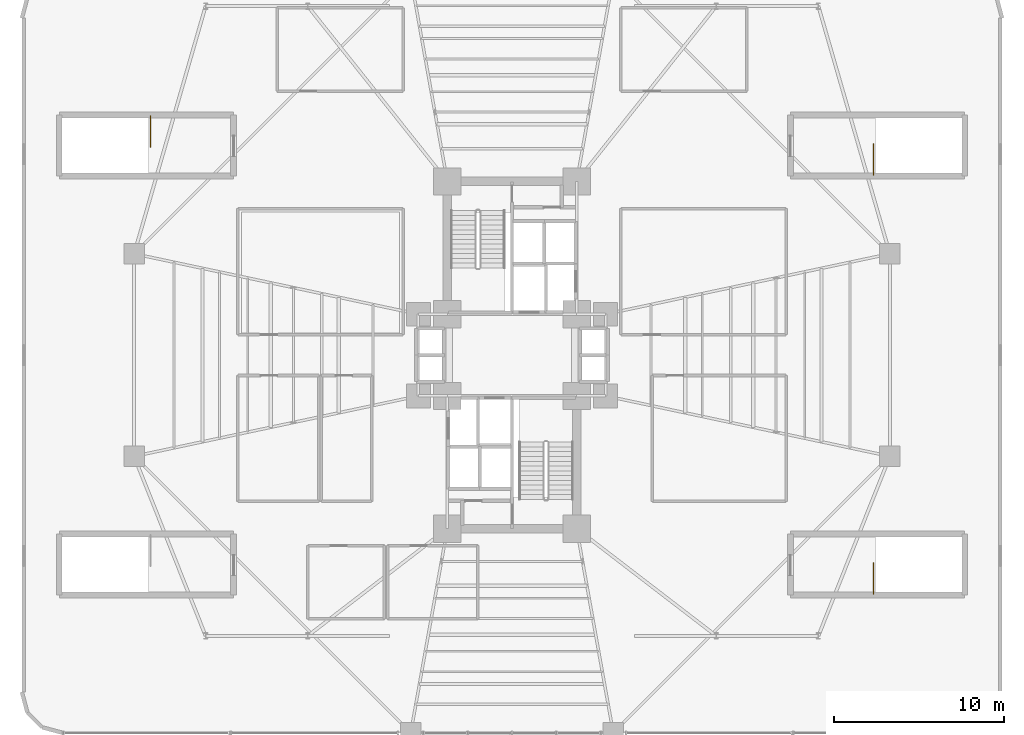
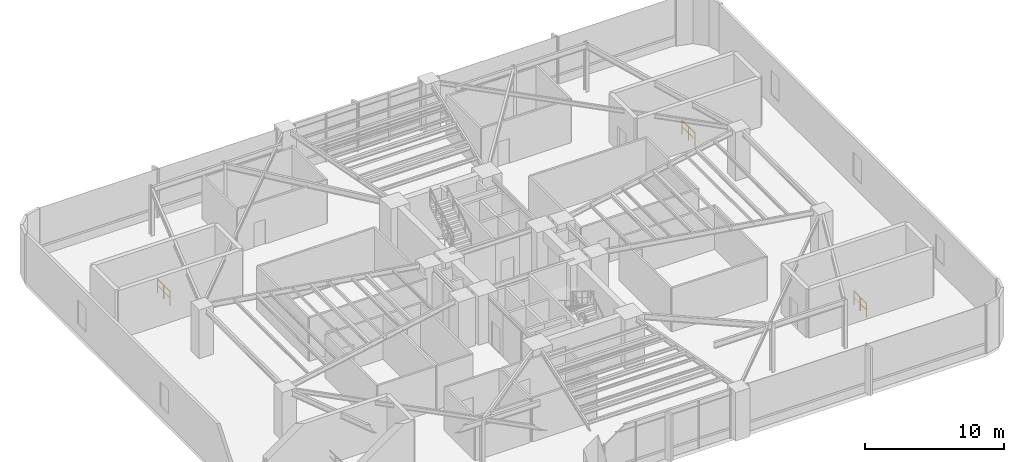
# One storey, part 26 of 26: 3 railings.
"""IFC4 building model written with IfcOpenShell, lengths in metres."""

import ifcopenshell
import ifcopenshell.guid

model = None  # the IFC model being written
_history = None  # IfcOwnerHistory: only IFC2X3 demands one
_inside = {}  # id of a spatial element -> (the spatial element, [elements in it])
_under = {}  # id of a project, library or spatial element -> (it, [spatial elements below it])
_declared = {}  # id of a project -> (the project, [libraries it declares])
_typed = {}  # id of a type object -> (the type object, [elements of that type])
_made_of = {}  # id of a material, layer set ... -> (it, [elements and type objects made of it])


def new_model(schema):
    """Start an empty IFC model of exactly this schema.

    Asked for "IFC4X3", IfcOpenShell would pick the latest addendum, in which some entities
    have other attributes; the version numbers below select the first issue.
    IFC2X3 requires an IfcOwnerHistory on every rooted entity: one is made here for all.
    """
    global model, _history
    if schema == "IFC4X3":
        model = ifcopenshell.file(schema_version=(4, 3, 0, 0))
    else:
        model = ifcopenshell.file(schema=schema)
    _inside.clear()
    _under.clear()
    _declared.clear()
    _typed.clear()
    _made_of.clear()
    _history = None
    if model.schema == "IFC2X3":
        org = make("IfcOrganization", Name="unknown")
        user = make(
            "IfcPersonAndOrganization",
            ThePerson=make("IfcPerson", FamilyName="unknown"),
            TheOrganization=org,
        )
        app = make(
            "IfcApplication",
            ApplicationDeveloper=org,
            Version="unknown",
            ApplicationFullName="unknown",
            ApplicationIdentifier="unknown",
        )
        _history = make(
            "IfcOwnerHistory",
            OwningUser=user,
            OwningApplication=app,
            ChangeAction="ADDED",
            CreationDate=0,
        )
    return model


def make(cls, **values):
    """One entity of the class cls with the attributes given. An attribute that is None is left unset."""
    return model.create_entity(
        cls, **{name: value for name, value in values.items() if value is not None}
    )


def rooted(cls, **values):
    """An entity with a GlobalId (a new one), such as an element, a storey or a relation."""
    return make(cls, GlobalId=ifcopenshell.guid.new(), OwnerHistory=_history, **values)


def si_unit(unit_type, name, prefix=None):
    """IfcSIUnit, for example si_unit("LENGTHUNIT", "METRE", prefix="MILLI")."""
    return make("IfcSIUnit", UnitType=unit_type, Prefix=prefix, Name=name)


def assignment(units):
    """IfcUnitAssignment: the units of a project."""
    return None if units is None else make("IfcUnitAssignment", Units=units)


def point(xyz):
    """IfcCartesianPoint."""
    return None if xyz is None else make("IfcCartesianPoint", Coordinates=xyz)


def direction(xyz):
    """IfcDirection."""
    return None if xyz is None else make("IfcDirection", DirectionRatios=xyz)


def frame(location, z_axis=None, x_axis=None):
    """IfcAxis2Placement3D, a coordinate frame: its origin and axes. An axis left out is left unset."""
    return make(
        "IfcAxis2Placement3D",
        Location=point(location),
        Axis=direction(z_axis),
        RefDirection=direction(x_axis),
    )


def frame_2d(location, x_axis=None):
    """IfcAxis2Placement2D, a coordinate frame in the plane: its origin and x axis."""
    return make(
        "IfcAxis2Placement2D", Location=point(location), RefDirection=direction(x_axis)
    )


def origin():
    """The frame at (0, 0, 0) with its axes left unset."""
    return frame((0.0, 0.0, 0.0))


def origin_2d():
    """The frame at (0, 0) in the plane with its x axis left unset."""
    return frame_2d((0.0, 0.0))


def place(relative_to, where):
    """IfcLocalPlacement: puts the frame where relative to a parent placement (None: the world)."""
    return make(
        "IfcLocalPlacement", PlacementRelTo=relative_to, RelativePlacement=where
    )


def context(
    kind, dimensions, precision=None, world=None, true_north=None, identifier=None
):
    """IfcGeometricRepresentationContext, for example the 3D "Model" context."""
    return make(
        "IfcGeometricRepresentationContext",
        ContextIdentifier=identifier,
        ContextType=kind,
        CoordinateSpaceDimension=dimensions,
        Precision=precision,
        WorldCoordinateSystem=world,
        TrueNorth=true_north,
    )


def subcontext(parent, identifier, kind, view, scale=None):
    """IfcGeometricRepresentationSubContext, for example "Body" below "Model"."""
    return make(
        "IfcGeometricRepresentationSubContext",
        ContextIdentifier=identifier,
        ContextType=kind,
        ParentContext=parent,
        TargetScale=scale,
        TargetView=view,
    )


def project(units=None, contexts=None):
    """IfcProject with its units and contexts."""
    return rooted(
        "IfcProject",
        Name="project",
        RepresentationContexts=contexts,
        UnitsInContext=assignment(units),
    )


def spatial(cls, under=None, at=None, **own):
    """A site, building, storey or space (cls), placed at a placement, below another one or the project."""
    s = rooted(cls, ObjectPlacement=at, **own)
    if under is not None:
        _under.setdefault(under.id(), (under, []))[1].append(s)
    return s


def profile(cls, at=None, kind="AREA", **sizes):
    """A parametric profile (cls). Its sizes go by their IFC names, for example OverallWidth=200.0."""
    return make(cls, ProfileType=kind, Position=at, **sizes)


def circle(**sizes):
    """IfcCircleProfileDef."""
    return profile("IfcCircleProfileDef", **sizes)


def extrude(swept, where, along, depth):
    """IfcExtrudedAreaSolid: the profile swept, set in the frame where, extruded along a direction by depth."""
    return make(
        "IfcExtrudedAreaSolid",
        SweptArea=swept,
        Position=where,
        ExtrudedDirection=direction(along),
        Depth=depth,
    )


def shape(context_of_items, identifier, shape_type, items):
    """IfcShapeRepresentation: the items that make up one representation, for example the "Body"."""
    return make(
        "IfcShapeRepresentation",
        ContextOfItems=context_of_items,
        RepresentationIdentifier=identifier,
        RepresentationType=shape_type,
        Items=items,
    )


def material(Name=None, Category=None):
    """IfcMaterial."""
    return make("IfcMaterial", Name=Name, Category=Category)


def made_of(thing, what):
    """Note that an element or type object is made of a material, layer set ...; save() writes the relation."""
    if what is not None:
        _made_of.setdefault(what.id(), (what, []))[1].append(thing)
    return thing


def type_object(cls, material=None, **own):
    """A type object (cls), such as IfcWallType, which elements share."""
    return made_of(rooted(cls, **own), material)


def element(
    cls,
    number,
    at=None,
    inside=None,
    cuts=None,
    type_object=None,
    material=None,
    context=None,
    identifier="Body",
    shape_type=None,
    held_by="IfcProductDefinitionShape",
    body=None,
    shapes=None,
    **own,
):
    """One element of the class cls, such as IfcWall. Its Tag is "e" and its number.

    at: its placement. inside: the storey or other place that contains it. cuts: it is an
    opening in that element (IfcRelVoidsElement). A single representation is given by context,
    identifier, shape_type and body (its items); several are given by shapes. held_by: the class
    of the entity that holds the representations. save() writes the other relations.
    """
    e = rooted(cls, Tag="e%d" % number, ObjectPlacement=at, **own)
    if body is not None:
        shapes = [shape(context, identifier, shape_type, body)]
    if shapes is not None:
        e.Representation = make(held_by, Representations=shapes)
    if inside is not None:
        _inside.setdefault(inside.id(), (inside, []))[1].append(e)
    if cuts is not None:
        rooted(
            "IfcRelVoidsElement", RelatingBuildingElement=cuts, RelatedOpeningElement=e
        )
    if type_object is not None:
        _typed.setdefault(type_object.id(), (type_object, []))[1].append(e)
    return made_of(e, material)


def aggregate(whole, parts):
    """IfcRelAggregates: a whole, such as a stair, and the parts it consists of."""
    return rooted("IfcRelAggregates", RelatingObject=whole, RelatedObjects=parts)


def save(model, path):
    """Write the relations noted so far, then the file.

    IfcRelAggregates (storeys below a building ...), IfcRelContainedInSpatialStructure (elements
    in a storey), IfcRelDefinesByType, IfcRelAssociatesMaterial and IfcRelDeclares: one each for
    every whole, place, type object, material and project.
    """
    for whole, parts in _under.values():
        aggregate(whole, parts)
    for where, things in _inside.values():
        rooted(
            "IfcRelContainedInSpatialStructure",
            RelatedElements=things,
            RelatingStructure=where,
        )
    for kind, things in _typed.values():
        rooted("IfcRelDefinesByType", RelatedObjects=things, RelatingType=kind)
    for what, things in _made_of.values():
        rooted("IfcRelAssociatesMaterial", RelatedObjects=things, RelatingMaterial=what)
    for by, libraries in _declared.values():
        rooted("IfcRelDeclares", RelatingContext=by, RelatedDefinitions=libraries)
    model.write(path)


model = new_model("IFC4")

# Units and contexts
model_context = context("Model", 3, precision=1e-05, world=origin(), true_north=direction((0.0, 1.0)))
body_context = subcontext(model_context, "Body", "Model", "MODEL_VIEW")
ifc_project = project(units=[si_unit("LENGTHUNIT", "METRE"), si_unit("AREAUNIT", "SQUARE_METRE"), si_unit("VOLUMEUNIT", "CUBIC_METRE"), si_unit("PLANEANGLEUNIT", "RADIAN"), si_unit("MASSUNIT", "GRAM", prefix="KILO")], contexts=[model_context])

# Site, building, storey
site_placement = place(None, origin())
site = spatial("IfcSite", under=ifc_project, at=site_placement, CompositionType="ELEMENT")
building_placement = place(site_placement, origin())
building = spatial("IfcBuilding", under=site, at=building_placement, Name="Sahyath Konkavel Grand Hotel", CompositionType="ELEMENT")
storey_placement = place(building_placement, frame((0.0, 0.0, 18.60009765625)))
storey = spatial("IfcBuildingStorey", under=building, at=storey_placement, Name="L04", CompositionType="ELEMENT", Elevation=18.60009765625)

# Railings
ifc_material = material(Name="Steel E350", Category="steel")
railing_type = type_object("IfcRailingType", Name="RLG-STAIR-GRD", PredefinedType="GUARDRAIL", material=ifc_material)
railing_1_placement = place(storey_placement, frame((-21.239990234375, 14.0400390625, 0.0)))
element("IfcRailing", 1, at=railing_1_placement, inside=storey, type_object=railing_type, Name="L04 ST-P1 top well guard 1", PredefinedType="GUARDRAIL", context=body_context, shape_type="SweptSolid", body=[
    extrude(circle(Radius=0.02392578125, at=origin_2d()), frame((0.0, -0.001953125, 1.17578125), z_axis=(0.0, -1.0, 0.0), x_axis=(1.0, 0.0, 0.0)), (0.0, 0.0, 1.0), 1.80615234375),
    extrude(circle(Radius=0.01416015625, at=origin_2d()), frame((0.0, -0.001953125, 0.6240234375), z_axis=(0.0, -1.0, 0.0), x_axis=(1.0, 0.0, 0.0)), (0.0, 0.0, 1.0), 1.80615234375),
    extrude(circle(Radius=0.02099609375, at=origin_2d()), origin(), (0.0, 0.0, 1.0), 1.15185546875),
    extrude(circle(Radius=0.02099609375, at=origin_2d()), frame((0.0, -0.905029296875, 0.0)), (0.0, 0.0, 1.0), 1.15185546875),
    extrude(circle(Radius=0.02099609375, at=origin_2d()), frame((0.0, -1.81005859375, 0.0)), (0.0, 0.0, 1.0), 1.15185546875),
])
railing_2_placement = place(storey_placement, frame((21.239990234375, 10.580078125, 0.0)))
element("IfcRailing", 2, at=railing_2_placement, inside=storey, type_object=railing_type, Name="L04 ST-P2 top well guard 1", PredefinedType="GUARDRAIL", context=body_context, shape_type="SweptSolid", body=[
    extrude(circle(Radius=0.02392578125, at=origin_2d()), frame((0.0, 0.001953125, 1.17578125), z_axis=(0.0, 1.0, 0.0), x_axis=(-1.0, 0.0, 0.0)), (0.0, 0.0, 1.0), 1.805908203125),
    extrude(circle(Radius=0.01416015625, at=origin_2d()), frame((0.0, 0.001953125, 0.6240234375), z_axis=(0.0, 1.0, 0.0), x_axis=(-1.0, 0.0, 0.0)), (0.0, 0.0, 1.0), 1.805908203125),
    extrude(circle(Radius=0.02099609375, at=origin_2d()), origin(), (0.0, 0.0, 1.0), 1.15185546875),
    extrude(circle(Radius=0.02099609375, at=origin_2d()), frame((0.0, 0.90478515625, 0.0)), (0.0, 0.0, 1.0), 1.15185546875),
    extrude(circle(Radius=0.02099609375, at=origin_2d()), frame((0.0, 1.809814453125, 0.0)), (0.0, 0.0, 1.0), 1.15185546875),
])
railing_3_placement = place(storey_placement, frame((21.239990234375, -14.0400390625, 0.0)))
element("IfcRailing", 3, at=railing_3_placement, inside=storey, type_object=railing_type, Name="L04 ST-P4 top well guard 1", PredefinedType="GUARDRAIL", context=body_context, shape_type="SweptSolid", body=[
    extrude(circle(Radius=0.02392578125, at=origin_2d()), frame((0.0, 0.001953125, 1.17578125), z_axis=(0.0, 1.0, 0.0), x_axis=(-1.0, 0.0, 0.0)), (0.0, 0.0, 1.0), 1.80615234375),
    extrude(circle(Radius=0.01416015625, at=origin_2d()), frame((0.0, 0.001953125, 0.6240234375), z_axis=(0.0, 1.0, 0.0), x_axis=(-1.0, 0.0, 0.0)), (0.0, 0.0, 1.0), 1.80615234375),
    extrude(circle(Radius=0.02099609375, at=origin_2d()), origin(), (0.0, 0.0, 1.0), 1.15185546875),
    extrude(circle(Radius=0.02099609375, at=origin_2d()), frame((0.0, 0.905029296875, 0.0)), (0.0, 0.0, 1.0), 1.15185546875),
    extrude(circle(Radius=0.02099609375, at=origin_2d()), frame((0.0, 1.81005859375, 0.0)), (0.0, 0.0, 1.0), 1.15185546875),
])

save(model, "model.ifc")
